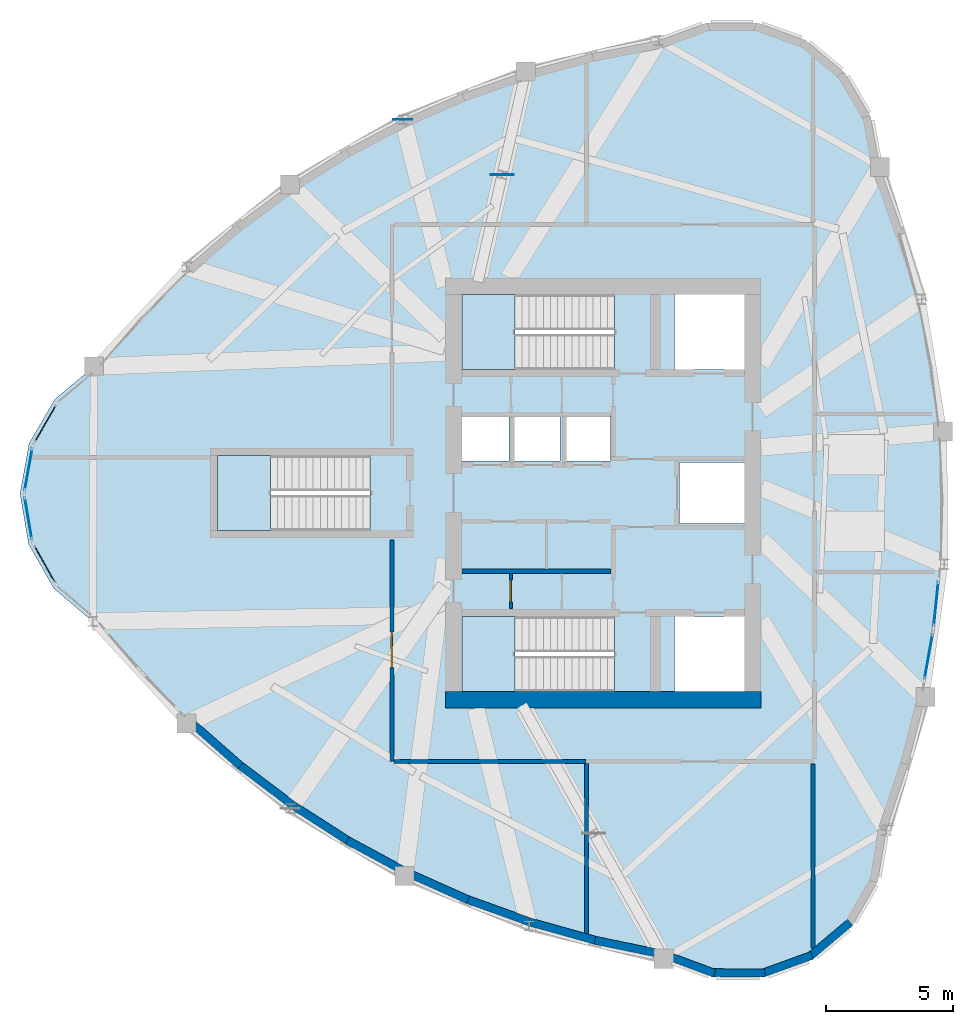
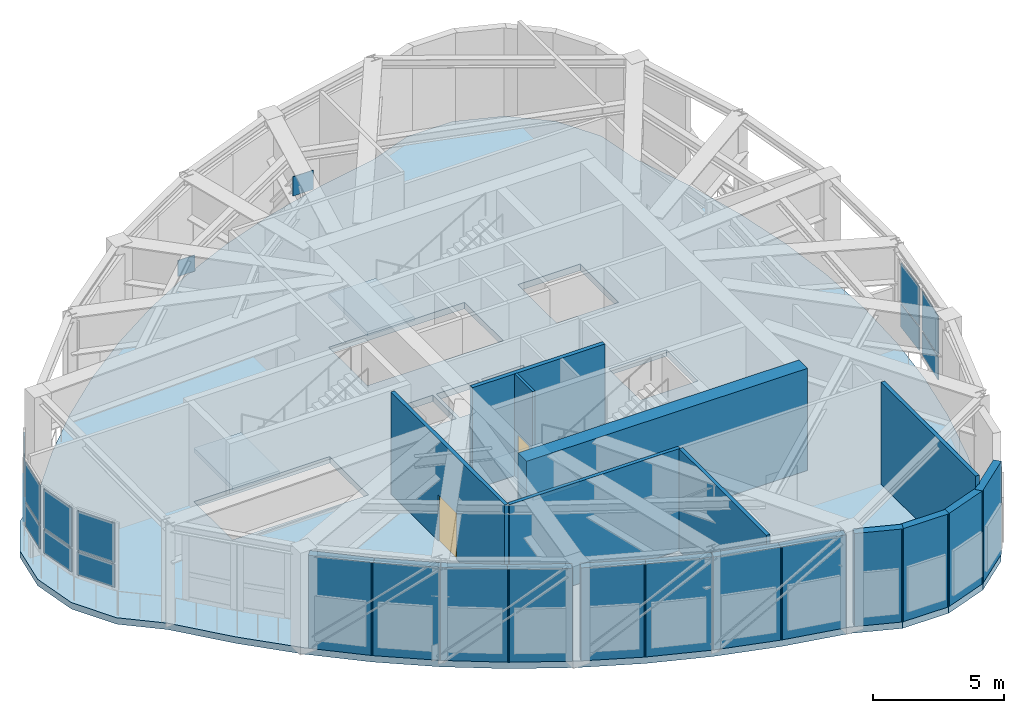
# One storey, part 4 of 10: 19 walls, 14 plates, 4 slabs, 2 doors, 2 openings, 9 elements without a shape of their own.
"""IFC4 building model written with IfcOpenShell, lengths in metres."""

from ifc_helpers import new_model, si_unit, direction, frame, frame_2d, origin, origin_2d, place, context, subcontext, project, spatial, polyline, rectangle, outline, extrude, source, transform, mapped, material, layer, layer_set, type_object, element, fill, aggregate, save


model = new_model("IFC4")

# Units and contexts
model_context = context("Model", 3, precision=1e-05, world=origin(), true_north=direction((0.0, 1.0)))
body_context = subcontext(model_context, "Body", "Model", "MODEL_VIEW")
ifc_project = project(units=[si_unit("LENGTHUNIT", "METRE"), si_unit("AREAUNIT", "SQUARE_METRE"), si_unit("VOLUMEUNIT", "CUBIC_METRE"), si_unit("PLANEANGLEUNIT", "RADIAN"), si_unit("MASSUNIT", "GRAM", prefix="KILO")], contexts=[model_context])

# Site, building, storey
site_placement = place(None, origin())
site = spatial("IfcSite", under=ifc_project, at=site_placement, CompositionType="ELEMENT")
building_placement = place(site_placement, origin())
building = spatial("IfcBuilding", under=site, at=building_placement, Name="Qafzar Sky-Pleat Residences", CompositionType="ELEMENT")
storey_placement = place(building_placement, frame((0.0, 0.0, 190.60009765625)))
storey = spatial("IfcBuildingStorey", under=building, at=storey_placement, Name="L57", CompositionType="ELEMENT", Elevation=190.60009765625)

# Slab
ifc_material_1 = material(Name="Concrete C40/50", Category="concrete")
ifc_layer_1 = layer(ifc_material_1, 0.300048828125)
ifc_layer_set_1 = layer_set([ifc_layer_1], Name="Concrete C40/50")
slab_type_1 = type_object("IfcSlabType", Name="SLAB-FLR-300", PredefinedType="FLOOR", material=ifc_layer_set_1)
slab_1_placement = place(storey_placement, frame((0.0, 0.0, -0.300048828125)))
element("IfcSlab", 1, at=slab_1_placement, inside=storey, type_object=slab_type_1, Name="L57 Structural Floor Slab", PredefinedType="FLOOR", context=body_context, shape_type="SweptSolid", body=[
    extrude(outline(polyline([(10.338134765625, 30.967041015625), (8.801025390625, 29.679443359375), (7.79443359375, 27.9453125), (7.438232421875, 25.972412109375), (7.775146484375, 23.99560546875), (8.764892578125, 22.251953125), (10.289306640625, 20.94970703125), (12.080810546875, 18.856689453125), (13.97265625, 16.934814453125), (15.96533203125, 15.18310546875), (18.058837890625, 13.60205078125), (20.2529296875, 12.191650390625), (22.547607421875, 10.951904296875), (24.943359375, 9.8828125), (27.439453125, 8.98388671875), (30.03662109375, 8.255859375), (32.734130859375, 7.698486328125), (34.638671875, 6.98779296875), (36.67138671875, 6.977783203125), (38.582763671875, 7.669921875), (40.137939453125, 8.979248046875), (41.145751953125, 10.74462890625), (41.482666015625, 12.749267578125), (42.3486328125, 15.3642578125), (43.0166015625, 17.977294921875), (43.486328125, 20.58837890625), (43.75830078125, 23.19775390625), (43.831787109375, 25.804931640625), (43.70751953125, 28.410400390625), (43.385009765625, 31.013916015625), (42.864501953125, 33.615478515625), (42.145751953125, 36.21484375), (41.22900390625, 38.8125), (40.86328125, 40.783935546875), (39.84814453125, 42.51318359375), (38.304931640625, 43.793212890625), (36.41796875, 44.47119140625), (34.4130859375, 44.46630859375), (32.529296875, 43.779052734375), (29.8720703125, 43.2568359375), (27.312255859375, 42.56591796875), (24.849609375, 41.706298828125), (22.484375, 40.677978515625), (20.216552734375, 39.481201171875), (18.046142578125, 38.11572265625), (15.97314453125, 36.58154296875), (13.997314453125, 34.878662109375), (12.119140625, 33.007080078125), (10.338134765625, 30.967041015625)]), holes=[polyline([(30.797119140625, 21.14990234375), (24.800048828125, 21.14990234375), (24.800048828125, 18.199951171875), (30.797119140625, 18.199951171875), (30.797119140625, 21.14990234375)]), polyline([(30.797119140625, 33.800048828125), (24.800048828125, 33.800048828125), (24.800048828125, 30.85009765625), (30.797119140625, 30.85009765625), (30.797119140625, 33.800048828125)]), polyline([(21.197021484375, 27.47509765625), (15.199951171875, 27.47509765625), (15.199951171875, 24.52490234375), (21.197021484375, 24.52490234375), (21.197021484375, 27.47509765625)]), polyline([(24.800048828125, 27.25), (26.64990234375, 27.25), (26.64990234375, 29.050048828125), (24.800048828125, 29.050048828125), (24.800048828125, 27.25)]), polyline([(26.800048828125, 27.25), (28.64990234375, 27.25), (28.64990234375, 29.050048828125), (26.800048828125, 29.050048828125), (26.800048828125, 27.25)]), polyline([(28.800048828125, 27.25), (30.64990234375, 27.25), (30.64990234375, 29.050048828125), (28.800048828125, 29.050048828125), (28.800048828125, 27.25)]), polyline([(33.14990234375, 18.199951171875), (35.89990234375, 18.199951171875), (35.89990234375, 21.14990234375), (33.14990234375, 21.14990234375), (33.14990234375, 18.199951171875)]), polyline([(33.14990234375, 30.85009765625), (35.89990234375, 30.85009765625), (35.89990234375, 33.800048828125), (33.14990234375, 33.800048828125), (33.14990234375, 30.85009765625)]), polyline([(33.35009765625, 24.800048828125), (35.89990234375, 24.800048828125), (35.89990234375, 27.199951171875), (33.35009765625, 27.199951171875), (33.35009765625, 24.800048828125)])]), origin(), (0.0, 0.0, 1.0), 0.300048828125),
])

# Stair, slab
stair_type = type_object("IfcStairType", Name="STAIR-H500", PredefinedType="HALF_TURN_STAIR", material=ifc_material_1)
stair_1_placement = place(storey_placement, origin())
stair_1 = element("IfcStair", 2, at=stair_1_placement, inside=storey, type_object=stair_type, Name="L57 Protected Exit Stair ST1", PredefinedType="HALF_TURN_STAIR")
ifc_layer_2 = layer(ifc_material_1, 0.199951171875)
ifc_layer_set_2 = layer_set([ifc_layer_2], Name="Concrete C40/50")
slab_type_2 = type_object("IfcSlabType", Name="SLAB-LANDING-200", PredefinedType="LANDING", material=ifc_layer_set_2)
slab_2_placement = place(storey_placement, frame((0.0, 0.0, 2.2998046875)))
slab_2 = element("IfcSlab", 3, at=slab_2_placement, type_object=slab_type_2, Name="ST1 landing 1", PredefinedType="LANDING", context=body_context, shape_type="SweptSolid", body=[
    extrude(outline(polyline([(26.8798828125, 21.14990234375), (24.800048828125, 21.14990234375), (24.800048828125, 18.199951171875), (26.8798828125, 18.199951171875), (26.8798828125, 21.14990234375)])), origin(), (0.0, 0.0, 1.0), 0.2001953125),
])
aggregate(stair_1, [slab_2])

stair_2_placement = place(storey_placement, origin())
stair_2 = element("IfcStair", 4, at=stair_2_placement, inside=storey, type_object=stair_type, Name="L57 Protected Exit Stair ST2", PredefinedType="HALF_TURN_STAIR")
slab_3_placement = place(storey_placement, frame((0.0, 0.0, 2.2998046875)))
slab_3 = element("IfcSlab", 5, at=slab_3_placement, type_object=slab_type_2, Name="ST2 landing 1", PredefinedType="LANDING", context=body_context, shape_type="SweptSolid", body=[
    extrude(outline(polyline([(26.8798828125, 33.800048828125), (24.800048828125, 33.800048828125), (24.800048828125, 30.85009765625), (26.8798828125, 30.85009765625), (26.8798828125, 33.800048828125)])), origin(), (0.0, 0.0, 1.0), 0.2001953125),
])
aggregate(stair_2, [slab_3])

stair_3_placement = place(storey_placement, origin())
stair_3 = element("IfcStair", 6, at=stair_3_placement, inside=storey, type_object=stair_type, Name="L57 Protected Exit Stair ST3", PredefinedType="HALF_TURN_STAIR")
slab_4_placement = place(storey_placement, frame((0.0, 0.0, 2.2998046875)))
slab_4 = element("IfcSlab", 7, at=slab_4_placement, type_object=slab_type_2, Name="ST3 landing 1", PredefinedType="LANDING", context=body_context, shape_type="SweptSolid", body=[
    extrude(outline(polyline([(17.280029296875, 27.47509765625), (15.199951171875, 27.47509765625), (15.199951171875, 24.52490234375), (17.280029296875, 24.52490234375), (17.280029296875, 27.47509765625)])), origin(), (0.0, 0.0, 1.0), 0.2001953125),
])
aggregate(stair_3, [slab_4])

# Plates
ifc_material_2 = material(Name="Steel S355", Category="steel")
ifc_layer_3 = layer(ifc_material_2, 0.030029296875)
ifc_layer_set_3 = layer_set([ifc_layer_3], Name="Steel S355")
plate_type_1 = type_object("IfcPlateType", Name="PLT-NODE-BN1", PredefinedType="USERDEFINED", material=ifc_layer_set_3)
shared_shape_1 = source(origin(), body_context, "Body", "SweptSolid", [
    extrude(rectangle(XDim=0.75, YDim=0.030029296875, at=origin_2d()), origin(), (0.0, 0.0, 1.0), 0.75),
])
plate_1_placement = place(storey_placement, frame((22.484375, 40.677978515625, 0.074951171875), z_axis=(0.0, 0.0, 1.0), x_axis=(1.0, 0.0, 0.0)))
element("IfcPlate", 8, at=plate_1_placement, inside=storey, type_object=plate_type_1, Name="L57 Belt-Truss Node Plate 16", ObjectType="GUSSET_PLATE", PredefinedType="USERDEFINED", context=body_context, shape_type="MappedRepresentation", body=[
    mapped(shared_shape_1, transform((0.0, 0.0, 0.0), x_axis=(1.0, 0.0, 0.0), y_axis=(0.0, 1.0, 0.0), z_axis=(0.0, 0.0, 1.0), scale=1.0)),
])
ifc_layer_4 = layer(ifc_material_2, 0.034912109375)
ifc_layer_set_4 = layer_set([ifc_layer_4], Name="Steel S355")
plate_type_2 = type_object("IfcPlateType", Name="PLT-NODE-ON1", PredefinedType="USERDEFINED", material=ifc_layer_set_4)
shared_shape_2 = source(origin(), body_context, "Body", "SweptSolid", [
    extrude(rectangle(XDim=0.89990234375, YDim=0.034912109375, at=origin_2d()), origin(), (0.0, 0.0, 1.0), 0.89990234375),
])
plate_2_placement = place(storey_placement, frame((26.38671875, 38.508056640625, 3.81005859375), z_axis=(0.0, 0.0, 1.0), x_axis=(1.0, 0.0, 0.0)))
element("IfcPlate", 9, at=plate_2_placement, inside=storey, type_object=plate_type_2, Name="L57 Outrigger Gusset Node 8", ObjectType="GUSSET_PLATE", PredefinedType="USERDEFINED", context=body_context, shape_type="MappedRepresentation", body=[
    mapped(shared_shape_2, transform((0.0, 0.0, 0.0), x_axis=(1.0, 0.0, 0.0), y_axis=(0.0, 1.0, 0.0), z_axis=(0.0, 0.0, 1.0), scale=1.0)),
])

# Curtain wall, plate
ifc_material_3 = material(Name="Anodised bronze aluminium framing", Category="aluminium")
ifc_layer_5 = layer(ifc_material_3, 0.280029296875)
ifc_layer_set_5 = layer_set([ifc_layer_5], Name="Anodised bronze aluminium framing")
curtain_wall_type = type_object("IfcCurtainWallType", Name="CW-SYS-05", PredefinedType="NOTDEFINED", material=ifc_layer_set_5)
curtain_wall_1_placement = place(storey_placement, origin())
curtain_wall_1 = element("IfcCurtainWall", 10, at=curtain_wall_1_placement, inside=storey, type_object=curtain_wall_type, Name="L57 CW-05 Curtain Wall CW-L57-SLOT-01", PredefinedType="NOTDEFINED")
ifc_material_4 = material(Name="Solar-control double low-E glazing", Category="glass")
ifc_layer_6 = layer(ifc_material_4, 0.035888671875)
ifc_layer_set_6 = layer_set([ifc_layer_6], Name="Solar-control double low-E glazing")
plate_type_3 = type_object("IfcPlateType", Name="CWP-05", PredefinedType="CURTAIN_PANEL", material=ifc_layer_set_6)
shared_shape_3 = source(origin(), body_context, "Body", "SweptSolid", [
    extrude(rectangle(XDim=1.675048828125, YDim=0.035888671875, at=origin_2d()), origin(), (0.0, 0.0, 1.0), 1.0732421875),
])
plate_3_placement = place(storey_placement, frame((8.43603515625, 28.732177734375, 1.264892578125), z_axis=(0.0, 0.0, 1.0), x_axis=(-0.502104136186, -0.864807167191, 0.0)))
plate_3 = element("IfcPlate", 11, at=plate_3_placement, type_object=plate_type_3, Name="CW-05 panel 1.1", PredefinedType="CURTAIN_PANEL", context=body_context, shape_type="MappedRepresentation", body=[
    mapped(shared_shape_3, transform((0.0, 0.0, 0.0), x_axis=(1.0, 0.0, 0.0), y_axis=(0.0, 1.0, 0.0), z_axis=(0.0, 0.0, 1.0), scale=1.0)),
])

curtain_wall_2_placement = place(storey_placement, origin())
curtain_wall_2 = element("IfcCurtainWall", 12, at=curtain_wall_2_placement, inside=storey, type_object=curtain_wall_type, Name="L57 CW-05 Curtain Wall CW-L57-SLOT-02", PredefinedType="NOTDEFINED")
plate_4_placement = place(storey_placement, frame((7.773681640625, 26.930419921875, 1.264892578125), z_axis=(0.0, 0.0, 1.0), x_axis=(-0.177621290429, -0.984098916363, 0.0)))
plate_4 = element("IfcPlate", 13, at=plate_4_placement, type_object=plate_type_3, Name="CW-05 panel 1.1", PredefinedType="CURTAIN_PANEL", context=body_context, shape_type="MappedRepresentation", body=[
    mapped(shared_shape_3, transform((0.0, 0.0, 0.0), x_axis=(1.0, 0.0, 0.0), y_axis=(0.0, 1.0, 0.0), z_axis=(0.0, 0.0, 1.0), scale=1.0)),
])

curtain_wall_3_placement = place(storey_placement, origin())
curtain_wall_3 = element("IfcCurtainWall", 14, at=curtain_wall_3_placement, inside=storey, type_object=curtain_wall_type, Name="L57 CW-05 Curtain Wall CW-L57-SLOT-03", PredefinedType="NOTDEFINED")
plate_5_placement = place(storey_placement, frame((7.764404296875, 25.010986328125, 1.264892578125), z_axis=(0.0, 0.0, 1.0), x_axis=(0.168071672873, -0.985774777917, 0.0)))
plate_5 = element("IfcPlate", 15, at=plate_5_placement, type_object=plate_type_3, Name="CW-05 panel 1.1", PredefinedType="CURTAIN_PANEL", context=body_context, shape_type="MappedRepresentation", body=[
    mapped(shared_shape_3, transform((0.0, 0.0, 0.0), x_axis=(1.0, 0.0, 0.0), y_axis=(0.0, 1.0, 0.0), z_axis=(0.0, 0.0, 1.0), scale=1.0)),
])

curtain_wall_4_placement = place(storey_placement, origin())
curtain_wall_4 = element("IfcCurtainWall", 16, at=curtain_wall_4_placement, inside=storey, type_object=curtain_wall_type, Name="L57 CW-05 Curtain Wall CW-L57-SLOT-04", PredefinedType="NOTDEFINED")
plate_6_placement = place(storey_placement, frame((8.4091796875, 23.202880859375, 1.264892578125), z_axis=(0.0, 0.0, 1.0), x_axis=(0.493703015522, -0.869630572407, 0.0)))
plate_6 = element("IfcPlate", 17, at=plate_6_placement, type_object=plate_type_3, Name="CW-05 panel 1.1", PredefinedType="CURTAIN_PANEL", context=body_context, shape_type="MappedRepresentation", body=[
    mapped(shared_shape_3, transform((0.0, 0.0, 0.0), x_axis=(1.0, 0.0, 0.0), y_axis=(0.0, 1.0, 0.0), z_axis=(0.0, 0.0, 1.0), scale=1.0)),
])

# Plate
shared_shape_4 = source(origin(), body_context, "Body", "SweptSolid", [
    extrude(rectangle(XDim=1.675048828125, YDim=0.035888671875, at=origin_2d()), origin(), (0.0, 0.0, 1.0), 1.831787109375),
])
plate_7_placement = place(storey_placement, frame((8.43603515625, 28.732177734375, 2.42333984375), z_axis=(0.0, 0.0, 1.0), x_axis=(-0.502104136186, -0.864807167191, 0.0)))
plate_7 = element("IfcPlate", 18, at=plate_7_placement, type_object=plate_type_3, Name="CW-05 panel 1.2", PredefinedType="CURTAIN_PANEL", context=body_context, shape_type="MappedRepresentation", body=[
    mapped(shared_shape_4, transform((0.0, 0.0, 0.0), x_axis=(1.0, 0.0, 0.0), y_axis=(0.0, 1.0, 0.0), z_axis=(0.0, 0.0, 1.0), scale=1.0)),
])

aggregate(curtain_wall_1, [plate_3, plate_7])

plate_8_placement = place(storey_placement, frame((7.773681640625, 26.930419921875, 2.42333984375), z_axis=(0.0, 0.0, 1.0), x_axis=(-0.177621290429, -0.984098916363, 0.0)))
plate_8 = element("IfcPlate", 19, at=plate_8_placement, type_object=plate_type_3, Name="CW-05 panel 1.2", PredefinedType="CURTAIN_PANEL", context=body_context, shape_type="MappedRepresentation", body=[
    mapped(shared_shape_4, transform((0.0, 0.0, 0.0), x_axis=(1.0, 0.0, 0.0), y_axis=(0.0, 1.0, 0.0), z_axis=(0.0, 0.0, 1.0), scale=1.0)),
])

aggregate(curtain_wall_2, [plate_4, plate_8])

plate_9_placement = place(storey_placement, frame((7.764404296875, 25.010986328125, 2.42333984375), z_axis=(0.0, 0.0, 1.0), x_axis=(0.168071672873, -0.985774777917, 0.0)))
plate_9 = element("IfcPlate", 20, at=plate_9_placement, type_object=plate_type_3, Name="CW-05 panel 1.2", PredefinedType="CURTAIN_PANEL", context=body_context, shape_type="MappedRepresentation", body=[
    mapped(shared_shape_4, transform((0.0, 0.0, 0.0), x_axis=(1.0, 0.0, 0.0), y_axis=(0.0, 1.0, 0.0), z_axis=(0.0, 0.0, 1.0), scale=1.0)),
])

aggregate(curtain_wall_3, [plate_5, plate_9])

plate_10_placement = place(storey_placement, frame((8.4091796875, 23.202880859375, 2.42333984375), z_axis=(0.0, 0.0, 1.0), x_axis=(0.493703015522, -0.869630572407, 0.0)))
plate_10 = element("IfcPlate", 21, at=plate_10_placement, type_object=plate_type_3, Name="CW-05 panel 1.2", PredefinedType="CURTAIN_PANEL", context=body_context, shape_type="MappedRepresentation", body=[
    mapped(shared_shape_4, transform((0.0, 0.0, 0.0), x_axis=(1.0, 0.0, 0.0), y_axis=(0.0, 1.0, 0.0), z_axis=(0.0, 0.0, 1.0), scale=1.0)),
])

aggregate(curtain_wall_4, [plate_6, plate_10])

# Curtain wall, plates
curtain_wall_5_placement = place(storey_placement, origin())
curtain_wall_5 = element("IfcCurtainWall", 22, at=curtain_wall_5_placement, inside=storey, type_object=curtain_wall_type, Name="L57 CW-05 Curtain Wall CW-L57-SLOT-07", PredefinedType="NOTDEFINED")
shared_shape_5 = source(origin(), body_context, "Body", "SweptSolid", [
    extrude(rectangle(XDim=1.783203125, YDim=0.035888671875, at=origin_2d()), origin(), (0.0, 0.0, 1.0), 1.0732421875),
])
plate_11_placement = place(storey_placement, frame((43.141845703125, 19.576904296875, 1.264892578125), z_axis=(0.0, 0.0, 1.0), x_axis=(0.177154982067, 0.984182966896, 0.0)))
plate_11 = element("IfcPlate", 23, at=plate_11_placement, type_object=plate_type_3, Name="CW-05 panel 1.1", PredefinedType="CURTAIN_PANEL", context=body_context, shape_type="MappedRepresentation", body=[
    mapped(shared_shape_5, transform((0.0, 0.0, 0.0), x_axis=(1.0, 0.0, 0.0), y_axis=(0.0, 1.0, 0.0), z_axis=(0.0, 0.0, 1.0), scale=1.0)),
])
shared_shape_6 = source(origin(), body_context, "Body", "SweptSolid", [
    extrude(rectangle(XDim=1.783203125, YDim=0.035888671875, at=origin_2d()), origin(), (0.0, 0.0, 1.0), 1.831787109375),
])
plate_12_placement = place(storey_placement, frame((43.141845703125, 19.576904296875, 2.42333984375), z_axis=(0.0, 0.0, 1.0), x_axis=(0.177154982067, 0.984182966896, 0.0)))
plate_12 = element("IfcPlate", 24, at=plate_12_placement, type_object=plate_type_3, Name="CW-05 panel 1.2", PredefinedType="CURTAIN_PANEL", context=body_context, shape_type="MappedRepresentation", body=[
    mapped(shared_shape_6, transform((0.0, 0.0, 0.0), x_axis=(1.0, 0.0, 0.0), y_axis=(0.0, 1.0, 0.0), z_axis=(0.0, 0.0, 1.0), scale=1.0)),
])
aggregate(curtain_wall_5, [plate_11, plate_12])

curtain_wall_6_placement = place(storey_placement, origin())
curtain_wall_6 = element("IfcCurtainWall", 25, at=curtain_wall_6_placement, inside=storey, type_object=curtain_wall_type, Name="L57 CW-05 Curtain Wall CW-L57-SLOT-08", PredefinedType="NOTDEFINED")
shared_shape_7 = source(origin(), body_context, "Body", "SweptSolid", [
    extrude(rectangle(XDim=1.75341796875, YDim=0.035888671875, at=origin_2d()), origin(), (0.0, 0.0, 1.0), 1.0732421875),
])
plate_13_placement = place(storey_placement, frame((43.43505859375, 21.64111328125, 1.264892578125), z_axis=(0.0, 0.0, 1.0), x_axis=(0.103621085952, 0.9946168461, 0.0)))
plate_13 = element("IfcPlate", 26, at=plate_13_placement, type_object=plate_type_3, Name="CW-05 panel 1.1", PredefinedType="CURTAIN_PANEL", context=body_context, shape_type="MappedRepresentation", body=[
    mapped(shared_shape_7, transform((0.0, 0.0, 0.0), x_axis=(1.0, 0.0, 0.0), y_axis=(0.0, 1.0, 0.0), z_axis=(0.0, 0.0, 1.0), scale=1.0)),
])
shared_shape_8 = source(origin(), body_context, "Body", "SweptSolid", [
    extrude(rectangle(XDim=1.75341796875, YDim=0.035888671875, at=origin_2d()), origin(), (0.0, 0.0, 1.0), 1.831787109375),
])
plate_14_placement = place(storey_placement, frame((43.43505859375, 21.64111328125, 2.42333984375), z_axis=(0.0, 0.0, 1.0), x_axis=(0.103621085952, 0.9946168461, 0.0)))
plate_14 = element("IfcPlate", 27, at=plate_14_placement, type_object=plate_type_3, Name="CW-05 panel 1.2", PredefinedType="CURTAIN_PANEL", context=body_context, shape_type="MappedRepresentation", body=[
    mapped(shared_shape_8, transform((0.0, 0.0, 0.0), x_axis=(1.0, 0.0, 0.0), y_axis=(0.0, 1.0, 0.0), z_axis=(0.0, 0.0, 1.0), scale=1.0)),
])
aggregate(curtain_wall_6, [plate_13, plate_14])

# Wall, opening, door
ifc_material_5 = material(Name="Acoustic gypsum plasterboard partition", Category="gypsum")
ifc_layer_7 = layer(ifc_material_5, 0.159912109375)
ifc_layer_set_7 = layer_set([ifc_layer_7], Name="Acoustic gypsum plasterboard partition")
wall_type_1 = type_object("IfcWallType", Name="PART-COR-160", PredefinedType="PARTITIONING", material=ifc_layer_set_7)
wall_1_placement = place(storey_placement, frame((22.050048828125, 15.449951171875, 0.0), z_axis=(0.0, 0.0, 1.0), x_axis=(0.0, 1.0, 0.0)))
wall_1 = element("IfcWall", 28, at=wall_1_placement, inside=storey, type_object=wall_type_1, Name="L57 Partition Wall PART-L57-PW-003", PredefinedType="PARTITIONING", context=body_context, shape_type="SweptSolid", body=[
    extrude(rectangle(XDim=8.699951171875, YDim=0.159912109375, at=frame_2d((4.35009765625, 0.0))), origin(), (0.0, 0.0, 1.0), 4.760009765625),
])
opening_1_placement = place(wall_1_placement, frame((3.6875, 0.0, 0.0)))
opening_1 = element("IfcOpeningElement", 29, at=opening_1_placement, cuts=wall_1, Name="Opening ID-10", PredefinedType="OPENING", context=body_context, shape_type="SweptSolid", body=[
    extrude(rectangle(XDim=1.39990234375, YDim=2.14990234375, at=frame_2d((0.699951171875, 1.074951171875))), frame((0.0, 0.08984375, 0.0), z_axis=(0.0, -1.0, 0.0), x_axis=(1.0, 0.0, 0.0)), (0.0, 0.0, 1.0), 0.179931640625),
])
ifc_material_6 = material(Name="Timber-faced fire door", Category="wood")
door_type_1 = type_object("IfcDoorType", Name="DR-PLANT-1400", OperationType="DOUBLE_DOOR_SINGLE_SWING", PredefinedType="DOOR", material=ifc_material_6)
shared_shape_9 = source(origin(), body_context, "Body", "SweptSolid", [
    extrude(rectangle(XDim=1.39990234375, YDim=2.14990234375, at=frame_2d((0.699951171875, 1.074951171875))), frame((0.0, 0.02490234375, 0.0), z_axis=(0.0, -1.0, 0.0), x_axis=(1.0, 0.0, 0.0)), (0.0, 0.0, 1.0), 0.050048828125),
])
door_1_placement = place(opening_1_placement, origin())
door_1 = element("IfcDoor", 30, at=door_1_placement, inside=storey, type_object=door_type_1, Name="L57 AHU Ventilation Plant Room Door", OperationType="DOUBLE_DOOR_SINGLE_SWING", OverallHeight=2.14990234375, OverallWidth=1.39990234375, PredefinedType="DOOR", context=body_context, shape_type="MappedRepresentation", body=[
    mapped(shared_shape_9, transform((0.0, 0.0, 0.0), x_axis=(1.0, 0.0, 0.0), y_axis=(0.0, 1.0, 0.0), z_axis=(0.0, 0.0, 1.0), scale=1.0)),
])
fill(opening_1, door_1)

# Walls
wall_2_placement = place(storey_placement, frame((22.137939453125, 15.449951171875, 0.0), z_axis=(0.0, 0.0, 1.0), x_axis=(1.0, 0.0, 0.0)))
element("IfcWall", 31, at=wall_2_placement, inside=storey, type_object=wall_type_1, Name="L57 Partition Wall PART-L57-PW-009", PredefinedType="PARTITIONING", context=body_context, shape_type="SweptSolid", body=[
    extrude(rectangle(XDim=7.531982421875, YDim=0.159912109375, at=frame_2d((3.76611328125, 0.0))), origin(), (0.0, 0.0, 1.0), 4.760009765625),
])
wall_3_placement = place(storey_placement, frame((38.60009765625, 8.11474609375, 0.0), z_axis=(0.0, 0.0, 1.0), x_axis=(0.0, 1.0, 0.0)))
element("IfcWall", 32, at=wall_3_placement, inside=storey, type_object=wall_type_1, Name="L57 Partition Wall PART-L57-PW-010", PredefinedType="PARTITIONING", context=body_context, shape_type="SweptSolid", body=[
    extrude(rectangle(XDim=7.232177734375, YDim=0.159912109375, at=frame_2d((3.6162109375, 0.0))), origin(), (0.0, 0.0, 1.0), 4.760009765625),
])
wall_4_placement = place(storey_placement, frame((29.699951171875, 8.694580078125, 0.0), z_axis=(0.0, 0.0, 1.0), x_axis=(0.0, 1.0, 0.0)))
element("IfcWall", 33, at=wall_4_placement, inside=storey, type_object=wall_type_1, Name="L57 Partition Wall PART-L57-PW-012", PredefinedType="PARTITIONING", context=body_context, shape_type="SweptSolid", body=[
    extrude(rectangle(XDim=6.66748046875, YDim=0.159912109375, at=frame_2d((3.333740234375, 0.0))), origin(), (0.0, 0.0, 1.0), 4.760009765625),
])
ifc_material_7 = material(Name="Concrete blockwork partition", Category="masonry")
ifc_layer_8 = layer(ifc_material_7, 0.179931640625)
ifc_layer_set_8 = layer_set([ifc_layer_8], Name="Concrete blockwork partition")
wall_type_2 = type_object("IfcWallType", Name="PART-SHAFT-180", PredefinedType="PARTITIONING", material=ifc_layer_set_8)
wall_5_placement = place(storey_placement, frame((24.81005859375, 22.919921875, 0.0), z_axis=(0.0, 0.0, 1.0), x_axis=(1.0, 0.0, 0.0)))
element("IfcWall", 34, at=wall_5_placement, inside=storey, type_object=wall_type_2, Name="L57 Partition Wall PART-L57-P13-S", PredefinedType="PARTITIONING", context=body_context, shape_type="SweptSolid", body=[
    extrude(rectangle(XDim=5.83984375, YDim=0.179931640625, at=frame_2d((2.919921875, 0.0))), origin(), (0.0, 0.0, 1.0), 4.760009765625),
])

# Wall, opening, door
ifc_material_8 = material(Name="Gypsum plasterboard partition", Category="gypsum")
ifc_layer_9 = layer(ifc_material_8, 0.114990234375)
ifc_layer_set_9 = layer_set([ifc_layer_9], Name="Gypsum plasterboard partition")
wall_type_3 = type_object("IfcWallType", Name="PART-SVC-115", PredefinedType="PARTITIONING", material=ifc_layer_set_9)
wall_6_placement = place(storey_placement, frame((26.72509765625, 21.4599609375, 0.0), z_axis=(0.0, 0.0, 1.0), x_axis=(0.0, 1.0, 0.0)))
wall_6 = element("IfcWall", 35, at=wall_6_placement, inside=storey, type_object=wall_type_3, Name="L57 Partition Wall PART-L57-KC-SW-1", PredefinedType="PARTITIONING", context=body_context, shape_type="SweptSolid", body=[
    extrude(rectangle(XDim=1.380126953125, YDim=0.114990234375, at=frame_2d((0.68994140625, 0.0))), origin(), (0.0, 0.0, 1.0), 4.760009765625),
])
opening_2_placement = place(wall_6_placement, frame((0.260009765625, 0.0, 0.0)))
opening_2 = element("IfcOpeningElement", 36, at=opening_2_placement, cuts=wall_6, Name="Opening ID-09", PredefinedType="OPENING", context=body_context, shape_type="SweptSolid", body=[
    extrude(rectangle(XDim=0.860107421875, YDim=2.050048828125, at=frame_2d((0.43017578125, 1.02490234375))), frame((0.0, 0.0673828125, 0.0), z_axis=(0.0, -1.0, 0.0), x_axis=(1.0, 0.0, 0.0)), (0.0, 0.0, 1.0), 0.135009765625),
])
door_type_2 = type_object("IfcDoorType", Name="DR-SVC-860", OperationType="NOTDEFINED", PredefinedType="DOOR", material=ifc_material_6)
shared_shape_10 = source(origin(), body_context, "Body", "SweptSolid", [
    extrude(rectangle(XDim=0.860107421875, YDim=2.050048828125, at=frame_2d((0.43017578125, 1.02490234375))), frame((0.0, 0.02490234375, 0.0), z_axis=(0.0, -1.0, 0.0), x_axis=(1.0, 0.0, 0.0)), (0.0, 0.0, 1.0), 0.050048828125),
])
door_2_placement = place(opening_2_placement, origin())
door_2 = element("IfcDoor", 37, at=door_2_placement, inside=storey, type_object=door_type_2, Name="L57 Core South Cupboard 1 Door", OperationType="SINGLE_SWING_RIGHT", OverallHeight=2.050048828125, OverallWidth=0.860107421875, PredefinedType="DOOR", context=body_context, shape_type="MappedRepresentation", body=[
    mapped(shared_shape_10, transform((0.0, 0.0, 0.0), x_axis=(1.0, 0.0, 0.0), y_axis=(0.0, 1.0, 0.0), z_axis=(0.0, 0.0, 1.0), scale=1.0)),
])
fill(opening_2, door_2)

# Walls
ifc_material_9 = material(Name="Precast concrete C40/50 with honed Riyadh limestone", Category="concrete")
ifc_layer_10 = layer(ifc_material_9, 0.320068359375)
ifc_layer_set_10 = layer_set([ifc_layer_10], Name="Precast concrete C40/50 with honed Riyadh limestone")
wall_type_4 = type_object("IfcWallType", Name="WALL-EXT-320", PredefinedType="SOLIDWALL", material=ifc_layer_set_10)
wall_7_placement = place(storey_placement, frame((14.202392578125, 16.94580078125, 0.0), z_axis=(0.0, 0.0, 1.0), x_axis=(0.751119873672, -0.660165839297, 0.0)))
element("IfcWall", 38, at=wall_7_placement, inside=storey, type_object=wall_type_4, Name="L57 Limestone Facade Wall 9", PredefinedType="SOLIDWALL", context=body_context, shape_type="SweptSolid", body=[
    extrude(rectangle(XDim=2.52587890625, YDim=0.320068359375, at=frame_2d((1.262939453125, 0.0))), origin(), (0.0, 0.0, 1.0), 4.33984375),
])
wall_8_placement = place(storey_placement, frame((16.031494140625, 15.333740234375, 0.0), z_axis=(0.0, 0.0, 1.0), x_axis=(0.797976962718, -0.602687951573, 0.0)))
element("IfcWall", 39, at=wall_8_placement, inside=storey, type_object=wall_type_4, Name="L57 Limestone Facade Wall 10", PredefinedType="SOLIDWALL", context=body_context, shape_type="SweptSolid", body=[
    extrude(rectangle(XDim=2.6416015625, YDim=0.320068359375, at=frame_2d((1.32080078125, 0.0))), origin(), (0.0, 0.0, 1.0), 4.33984375),
])
wall_9_placement = place(storey_placement, frame((18.162109375, 13.725830078125, 0.0), z_axis=(0.0, 0.0, 1.0), x_axis=(0.841187536261, -0.540743496345, 0.0)))
element("IfcWall", 40, at=wall_9_placement, inside=storey, type_object=wall_type_4, Name="L57 Limestone Facade Wall 11", PredefinedType="SOLIDWALL", context=body_context, shape_type="SweptSolid", body=[
    extrude(rectangle(XDim=2.626220703125, YDim=0.320068359375, at=frame_2d((1.31298828125, 0.0))), origin(), (0.0, 0.0, 1.0), 4.33984375),
])
wall_10_placement = place(storey_placement, frame((20.29541015625, 12.3505859375, 0.0), z_axis=(0.0, 0.0, 1.0), x_axis=(0.879809944858, -0.475325636726, 0.0)))
element("IfcWall", 41, at=wall_10_placement, inside=storey, type_object=wall_type_4, Name="L57 Limestone Facade Wall 12", PredefinedType="SOLIDWALL", context=body_context, shape_type="SweptSolid", body=[
    extrude(rectangle(XDim=2.4814453125, YDim=0.320068359375, at=frame_2d((1.24072265625, 0.0))), origin(), (0.0, 0.0, 1.0), 4.33984375),
])
wall_11_placement = place(storey_placement, frame((22.763671875, 11.03076171875, 0.0), z_axis=(0.0, 0.0, 1.0), x_axis=(0.913148933567, -0.407626084942, 0.0)))
element("IfcWall", 42, at=wall_11_placement, inside=storey, type_object=wall_type_4, Name="L57 Limestone Facade Wall 13", PredefinedType="SOLIDWALL", context=body_context, shape_type="SweptSolid", body=[
    extrude(rectangle(XDim=2.496337890625, YDim=0.320068359375, at=frame_2d((1.248046875, 0.0))), origin(), (0.0, 0.0, 1.0), 4.33984375),
])
wall_12_placement = place(storey_placement, frame((24.961669921875, 10.046142578125, 0.0), z_axis=(0.0, 0.0, 1.0), x_axis=(0.940882751101, -0.33873241457, 0.0)))
element("IfcWall", 43, at=wall_12_placement, inside=storey, type_object=wall_type_4, Name="L57 Limestone Facade Wall 14", PredefinedType="SOLIDWALL", context=body_context, shape_type="SweptSolid", body=[
    extrude(rectangle(XDim=2.671142578125, YDim=0.320068359375, at=frame_2d((1.33544921875, 0.0))), origin(), (0.0, 0.0, 1.0), 4.33984375),
])
wall_13_placement = place(storey_placement, frame((27.501953125, 9.1328125, 0.0), z_axis=(0.0, 0.0, 1.0), x_axis=(0.962852806557, -0.270026800345, 0.0)))
element("IfcWall", 44, at=wall_13_placement, inside=storey, type_object=wall_type_4, Name="L57 Limestone Facade Wall 15", PredefinedType="SOLIDWALL", context=body_context, shape_type="SweptSolid", body=[
    extrude(rectangle(XDim=2.715087890625, YDim=0.320068359375, at=frame_2d((1.357421875, 0.0))), origin(), (0.0, 0.0, 1.0), 4.33984375),
])
wall_14_placement = place(storey_placement, frame((30.03173828125, 8.42041015625, 0.0), z_axis=(0.0, 0.0, 1.0), x_axis=(0.979291555144, -0.202455056799, 0.0)))
element("IfcWall", 45, at=wall_14_placement, inside=storey, type_object=wall_type_4, Name="L57 Limestone Facade Wall 16", PredefinedType="SOLIDWALL", context=body_context, shape_type="SweptSolid", body=[
    extrude(rectangle(XDim=2.627685546875, YDim=0.320068359375, at=frame_2d((1.31396484375, 0.0))), origin(), (0.0, 0.0, 1.0), 4.33984375),
])
wall_15_placement = place(storey_placement, frame((32.944580078125, 7.79052734375, 0.0), z_axis=(0.0, 0.0, 1.0), x_axis=(0.93690697627, -0.349578771977, 0.0)))
element("IfcWall", 46, at=wall_15_placement, inside=storey, type_object=wall_type_4, Name="L57 Limestone Facade Wall 17", PredefinedType="SOLIDWALL", context=body_context, shape_type="SweptSolid", body=[
    extrude(rectangle(XDim=1.906005859375, YDim=0.320068359375, at=frame_2d((0.953125, 0.0))), origin(), (0.0, 0.0, 1.0), 4.33984375),
])
for number, where, z_axis, x_axis, name in (
    (47, (34.6015625, 7.14794921875, 0.0), (0.0, 0.0, 1.0), (0.9999881768, -0.004862742089, 0.0), "L57 Limestone Facade Wall 18"),
    (48, (36.581298828125, 7.115234375, 0.0), (0.0, 0.0, 1.0), (0.940205133241, 0.340608730698, 0.0), "L57 Limestone Facade Wall 19"),
):
    element("IfcWall", number, at=place(storey_placement, frame(where, z_axis=z_axis, x_axis=x_axis)), inside=storey, type_object=wall_type_4, Name=name, PredefinedType="SOLIDWALL", context=body_context, shape_type="SweptSolid", body=[
        extrude(rectangle(XDim=2.108642578125, YDim=0.320068359375, at=frame_2d((1.05419921875, 0.0))), origin(), (0.0, 0.0, 1.0), 4.33984375),
    ])
wall_16_placement = place(storey_placement, frame((38.45068359375, 7.767822265625, 0.0), z_axis=(0.0, 0.0, 1.0), x_axis=(0.764947219724, 0.644092967697, 0.0)))
element("IfcWall", 49, at=wall_16_placement, inside=storey, type_object=wall_type_4, Name="L57 Limestone Facade Wall 20", PredefinedType="SOLIDWALL", context=body_context, shape_type="SweptSolid", body=[
    extrude(rectangle(XDim=2.109130859375, YDim=0.320068359375, at=frame_2d((1.0546875, 0.0))), origin(), (0.0, 0.0, 1.0), 4.33984375),
])
ifc_material_10 = material(Name="Concrete C60/75", Category="concrete")
ifc_layer_11 = layer(ifc_material_10, 0.64990234375)
ifc_layer_set_11 = layer_set([ifc_layer_11], Name="Concrete C60/75")
wall_type_5 = type_object("IfcWallType", Name="WALL-SHEAR-650", PredefinedType="SHEAR", material=ifc_layer_set_11)
wall_17_placement = place(storey_placement, frame((24.14990234375, 17.875, 0.0), z_axis=(0.0, 0.0, 1.0), x_axis=(1.0, 0.0, 0.0)))
element("IfcWall", 50, at=wall_17_placement, inside=storey, type_object=wall_type_5, Name="L57 CORE wall S", PredefinedType="SHEAR", context=body_context, shape_type="SweptSolid", body=[
    extrude(rectangle(XDim=12.400146484375, YDim=0.64990234375, at=frame_2d((6.2001953125, 0.0))), origin(), (0.0, 0.0, 1.0), 4.760009765625),
])

save(model, "model.ifc")
